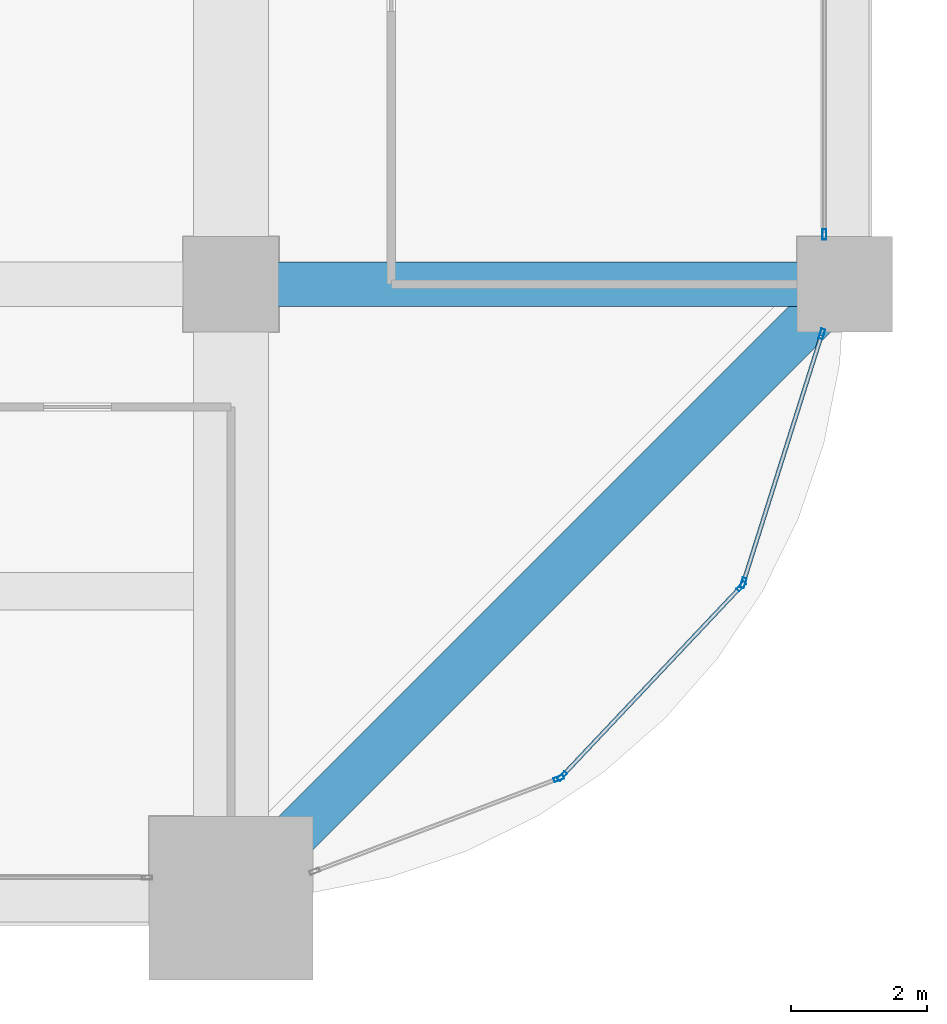
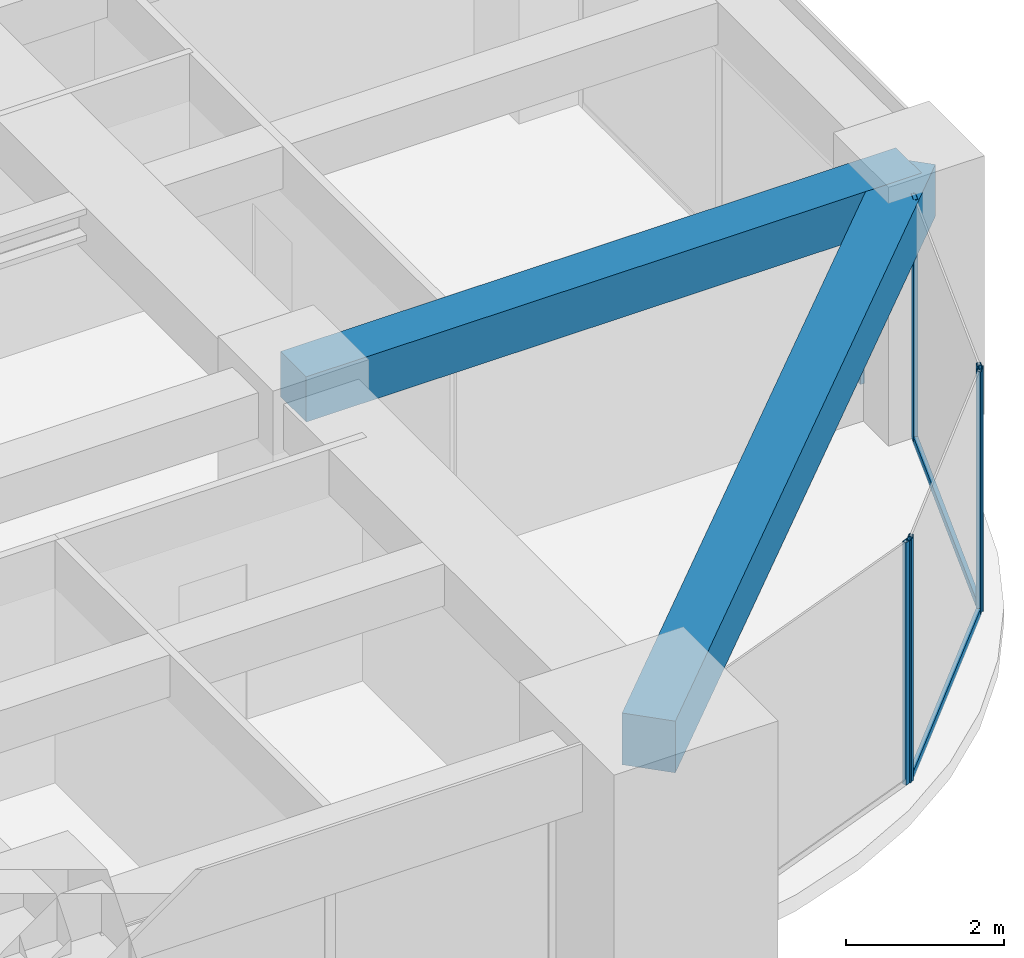
# One storey, part 16 of 34: 8 members, 2 beams, 4 elements without a shape of their own.
"""IFC4 building model written with IfcOpenShell, lengths in metres."""

from ifc_helpers import new_model, si_unit, direction, frame, origin, origin_2d, place, context, subcontext, project, spatial, rectangle, hollow_rectangle, extrude, material, material_profile, profile_set, type_object, element, aggregate, save


model = new_model("IFC4")

# Units and contexts
model_context = context("Model", 3, precision=1e-05, world=origin(), true_north=direction((0.0, 1.0)))
body_context = subcontext(model_context, "Body", "Model", "MODEL_VIEW")
ifc_project = project(units=[si_unit("LENGTHUNIT", "METRE"), si_unit("AREAUNIT", "SQUARE_METRE"), si_unit("VOLUMEUNIT", "CUBIC_METRE"), si_unit("PLANEANGLEUNIT", "RADIAN"), si_unit("MASSUNIT", "GRAM", prefix="KILO")], contexts=[model_context])

# Site, building, storey
site_placement = place(None, origin())
site = spatial("IfcSite", under=ifc_project, at=site_placement, CompositionType="ELEMENT")
building_placement = place(site_placement, origin())
building = spatial("IfcBuilding", under=site, at=building_placement, Name="Zorevar Civic Tower", CompositionType="ELEMENT")
storey_placement = place(building_placement, frame((0.0, 0.0, 214.199951171875)))
storey = spatial("IfcBuildingStorey", under=building, at=storey_placement, Name="L52", CompositionType="ELEMENT", Elevation=214.199951171875)

# Beam
ifc_material_1 = material(Name="Concrete C50/60", Category="concrete")
ifc_material_profile_1 = material_profile(ifc_material_1, rectangle(XDim=0.64990234375, YDim=0.699951171875, at=origin_2d()), Name="RC 650x700")
ifc_profile_set_1 = profile_set([ifc_material_profile_1], Name="Concrete C50/60")
beam_type_1 = type_object("IfcBeamType", Name="Beam RC 650x700", PredefinedType="BEAM", material=ifc_profile_set_1)
beam_1_placement = place(storey_placement, frame((45.0, 9.0, 3.400146484375), z_axis=(1.0, 0.0, 0.0), x_axis=(0.0, 1.0, 0.0)))
element("IfcBeam", 1, at=beam_1_placement, inside=storey, type_object=beam_type_1, Name="Girder L53", PredefinedType="BEAM", context=body_context, shape_type="SweptSolid", body=[
    extrude(rectangle(XDim=0.64990234375, YDim=0.699951171875, at=origin_2d()), origin(), (0.0, 0.0, 1.0), 9.0),
])

# Curtain wall, member
ifc_material_2 = material(Name="Dark grey solar-control glass in black aluminium frame", Category="aluminium")
curtain_wall_type = type_object("IfcCurtainWallType", Name="Curtain wall CW4 high zone", PredefinedType="NOTDEFINED", material=ifc_material_2)
curtain_wall_1_placement = place(storey_placement, origin())
curtain_wall_1 = element("IfcCurtainWall", 2, at=curtain_wall_1_placement, inside=storey, type_object=curtain_wall_type, Name="CW4 L52", PredefinedType="NOTDEFINED")
ifc_material_3 = material(Name="Aluminium, black anodised", Category="aluminium")
ifc_material_profile_2 = material_profile(ifc_material_3, hollow_rectangle(XDim=0.06005859375, YDim=0.14990234375, WallThickness=0.00390625, at=origin_2d()), Name="AL 150x60x4")
ifc_profile_set_2 = profile_set([ifc_material_profile_2], Name="Aluminium, black anodised")
member_type_1 = type_object("IfcMemberType", Name="CW4 mullion AL 150x60x4", PredefinedType="MULLION", material=ifc_profile_set_2)
member_1_placement = place(storey_placement, frame((53.699951171875, 9.72998046875, 0.0), z_axis=(0.0, 0.0, 1.0), x_axis=(-1.0, 0.0, 0.0)))
member_1 = element("IfcMember", 3, at=member_1_placement, type_object=member_type_1, Name="CW4 mullion 1", PredefinedType="MULLION", context=body_context, shape_type="SweptSolid", body=[
    extrude(hollow_rectangle(XDim=0.06005859375, YDim=0.14990234375, WallThickness=0.00390625, at=origin_2d()), origin(), (0.0, 0.0, 1.0), 2.949951171875),
])
aggregate(curtain_wall_1, [member_1])

curtain_wall_2_placement = place(storey_placement, origin())
curtain_wall_2 = element("IfcCurtainWall", 4, at=curtain_wall_2_placement, inside=storey, type_object=curtain_wall_type, Name="CW4 L52", PredefinedType="NOTDEFINED")
member_2_placement = place(storey_placement, frame((49.804931640625, 1.75537109375, 0.0), z_axis=(0.0, 0.0, 1.0), x_axis=(-0.355730895803, 0.93458842801, 0.0)))
member_2 = element("IfcMember", 5, at=member_2_placement, type_object=member_type_1, Name="CW4 mullion 2", PredefinedType="MULLION", context=body_context, shape_type="SweptSolid", body=[
    extrude(hollow_rectangle(XDim=0.06005859375, YDim=0.14990234375, WallThickness=0.00390625, at=origin_2d()), origin(), (0.0, 0.0, 1.0), 3.75),
])
aggregate(curtain_wall_2, [member_2])

# Curtain wall, members
curtain_wall_3_placement = place(storey_placement, origin())
curtain_wall_3 = element("IfcCurtainWall", 6, at=curtain_wall_3_placement, inside=storey, type_object=curtain_wall_type, Name="CW4 L52", PredefinedType="NOTDEFINED")
member_3_placement = place(storey_placement, frame((49.853759765625, 1.787841796875, 0.0), z_axis=(0.0, 0.0, 1.0), x_axis=(-0.727245053898, 0.686377907265, 0.0)))
member_3 = element("IfcMember", 7, at=member_3_placement, type_object=member_type_1, Name="CW4 mullion 1", PredefinedType="MULLION", context=body_context, shape_type="SweptSolid", body=[
    extrude(hollow_rectangle(XDim=0.06005859375, YDim=0.14990234375, WallThickness=0.00390625, at=origin_2d()), origin(), (0.0, 0.0, 1.0), 3.75),
])
member_4_placement = place(storey_placement, frame((52.480712890625, 4.5712890625, 0.0), z_axis=(0.0, 0.0, 1.0), x_axis=(-0.727245053898, 0.686377907265, 0.0)))
member_4 = element("IfcMember", 8, at=member_4_placement, type_object=member_type_1, Name="CW4 mullion 2", PredefinedType="MULLION", context=body_context, shape_type="SweptSolid", body=[
    extrude(hollow_rectangle(XDim=0.06005859375, YDim=0.14990234375, WallThickness=0.00390625, at=origin_2d()), origin(), (0.0, 0.0, 1.0), 3.75),
])

curtain_wall_4_placement = place(storey_placement, origin())
curtain_wall_4 = element("IfcCurtainWall", 9, at=curtain_wall_4_placement, inside=storey, type_object=curtain_wall_type, Name="CW4 L52", PredefinedType="NOTDEFINED")
member_5_placement = place(storey_placement, frame((52.51025390625, 4.62158203125, 0.0), z_axis=(0.0, 0.0, 1.0), x_axis=(-0.953589950678, 0.301108296077, 0.0)))
member_5 = element("IfcMember", 10, at=member_5_placement, type_object=member_type_1, Name="CW4 mullion 1", PredefinedType="MULLION", context=body_context, shape_type="SweptSolid", body=[
    extrude(hollow_rectangle(XDim=0.06005859375, YDim=0.14990234375, WallThickness=0.00390625, at=origin_2d()), origin(), (0.0, 0.0, 1.0), 3.75),
])
member_6_placement = place(storey_placement, frame((53.66259765625, 8.271484375, 0.0), z_axis=(0.0, 0.0, 1.0), x_axis=(-0.953589950678, 0.301108296077, 0.0)))
member_6 = element("IfcMember", 11, at=member_6_placement, type_object=member_type_1, Name="CW4 mullion 2", PredefinedType="MULLION", context=body_context, shape_type="SweptSolid", body=[
    extrude(hollow_rectangle(XDim=0.06005859375, YDim=0.14990234375, WallThickness=0.00390625, at=origin_2d()), origin(), (0.0, 0.0, 1.0), 3.75),
])

# Member
ifc_material_4 = material(Name="Aluminium, black anodised", Category="aluminium")
ifc_material_profile_3 = material_profile(ifc_material_4, hollow_rectangle(XDim=0.06005859375, YDim=0.1201171875, WallThickness=0.0029296875, at=origin_2d()), Name="AL 120x60x3")
ifc_profile_set_3 = profile_set([ifc_material_profile_3], Name="Aluminium, black anodised")
member_type_2 = type_object("IfcMemberType", Name="CW4 transom AL 120x60x3", PredefinedType="USERDEFINED", material=ifc_profile_set_3)
member_7_placement = place(storey_placement, frame((49.874267578125, 1.8095703125, 0.030029296875), z_axis=(0.686332338526, 0.727288059227, 0.0), x_axis=(-0.727288059227, 0.686332338526, 0.0)))
member_7 = element("IfcMember", 12, at=member_7_placement, type_object=member_type_2, Name="CW4 sill transom", ObjectType="TRANSOM", PredefinedType="USERDEFINED", context=body_context, shape_type="SweptSolid", body=[
    extrude(hollow_rectangle(XDim=0.06005859375, YDim=0.1201171875, WallThickness=0.0029296875, at=origin_2d()), origin(), (0.0, 0.0, 1.0), 3.767333984375),
])

aggregate(curtain_wall_3, [member_3, member_4, member_7])

member_8_placement = place(storey_placement, frame((52.519287109375, 4.650390625, 0.030029296875), z_axis=(0.301100351109, 0.953592459367, 0.0), x_axis=(-0.953592459367, 0.301100351109, 0.0)))
member_8 = element("IfcMember", 13, at=member_8_placement, type_object=member_type_2, Name="CW4 sill transom", ObjectType="TRANSOM", PredefinedType="USERDEFINED", context=body_context, shape_type="SweptSolid", body=[
    extrude(hollow_rectangle(XDim=0.06005859375, YDim=0.1201171875, WallThickness=0.0029296875, at=origin_2d()), origin(), (0.0, 0.0, 1.0), 3.76708984375),
])

aggregate(curtain_wall_4, [member_5, member_6, member_8])

# Beam
ifc_material_5 = material(Name="Concrete C50/60", Category="concrete")
ifc_material_profile_4 = material_profile(ifc_material_5, rectangle(XDim=0.699951171875, YDim=0.800048828125, at=origin_2d()), Name="RC 700x800")
ifc_profile_set_4 = profile_set([ifc_material_profile_4], Name="Concrete C50/60")
beam_type_2 = type_object("IfcBeamType", Name="Edge beam RC 700x800", PredefinedType="SPANDREL", material=ifc_profile_set_4)
beam_2_placement = place(storey_placement, frame((45.0, 0.0, 3.35009765625), z_axis=(0.707106781187, 0.707106781187, 0.0), x_axis=(-0.707106781187, 0.707106781187, 0.0)))
element("IfcBeam", 14, at=beam_2_placement, inside=storey, type_object=beam_type_2, Name="Corner edge beam L53", PredefinedType="SPANDREL", context=body_context, shape_type="SweptSolid", body=[
    extrude(rectangle(XDim=0.699951171875, YDim=0.800048828125, at=origin_2d()), origin(), (0.0, 0.0, 1.0), 12.72802734375),
])

save(model, "model.ifc")
